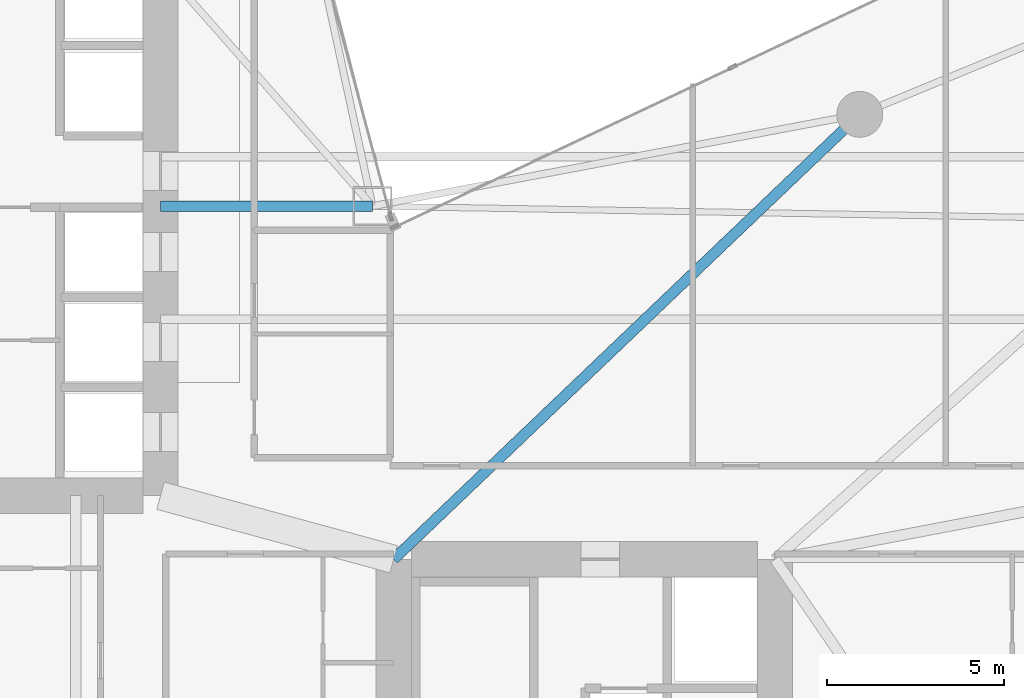
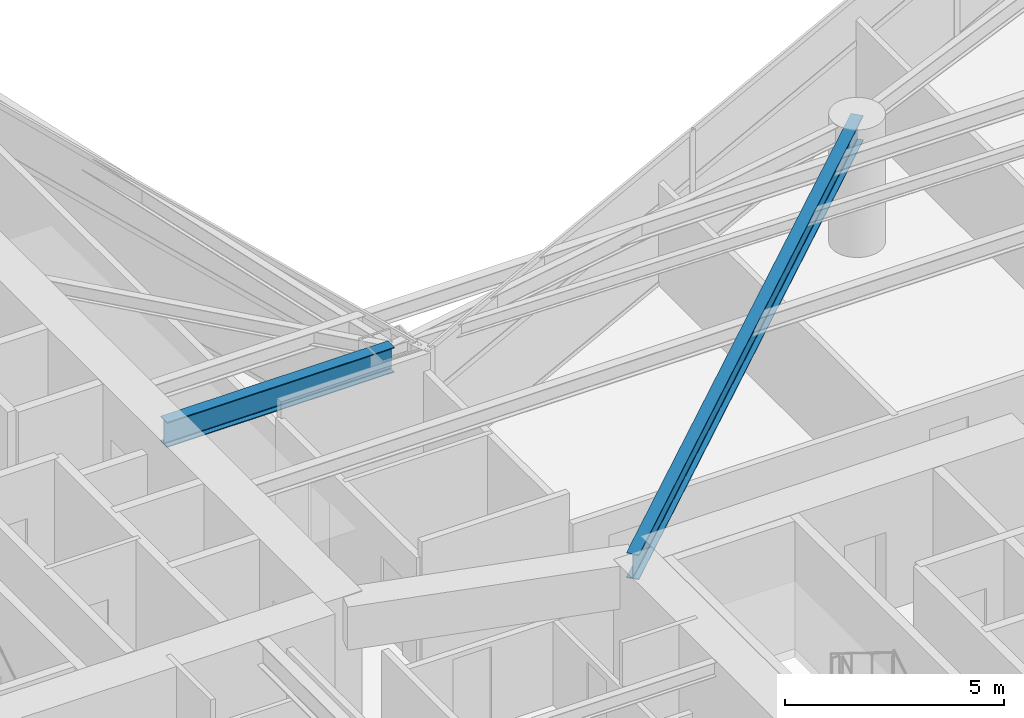
# One storey, part 9 of 29: 2 beams.
"""IFC4 building model written with IfcOpenShell, lengths in metres."""

from ifc_helpers import new_model, si_unit, direction, frame, origin, origin_2d, place, context, subcontext, project, spatial, i_section, extrude, material, material_profile, profile_set, type_object, element, save


model = new_model("IFC4")

# Units and contexts
model_context = context("Model", 3, precision=1e-05, world=origin(), true_north=direction((0.0, 1.0)))
body_context = subcontext(model_context, "Body", "Model", "MODEL_VIEW")
ifc_project = project(units=[si_unit("LENGTHUNIT", "METRE"), si_unit("AREAUNIT", "SQUARE_METRE"), si_unit("VOLUMEUNIT", "CUBIC_METRE"), si_unit("PLANEANGLEUNIT", "RADIAN"), si_unit("MASSUNIT", "GRAM", prefix="KILO")], contexts=[model_context])

# Site, building, storey
site_placement = place(None, origin())
site = spatial("IfcSite", under=ifc_project, at=site_placement, CompositionType="ELEMENT")
building_placement = place(site_placement, origin())
building = spatial("IfcBuilding", under=site, at=building_placement, Name="Calvorn Quay Hotel", CompositionType="ELEMENT")
storey_placement = place(building_placement, frame((0.0, 0.0, 38.39990234375)))
storey = spatial("IfcBuildingStorey", under=building, at=storey_placement, Name="L08", CompositionType="ELEMENT", Elevation=38.39990234375)

# Beams
ifc_material = material(Name="Steel Q390GJC", Category="steel")
ifc_material_profile = material_profile(ifc_material, i_section(OverallWidth=0.300048828125, OverallDepth=0.699951171875, WebThickness=0.012939453125, FlangeThickness=0.02392578125, FilletRadius=0.02392578125, at=origin_2d()), Name="HN700x300x13x24")
ifc_profile_set = profile_set([ifc_material_profile], Name="Steel Q390GJC")
beam_type = type_object("IfcBeamType", Name="BM-GIRD-MAIN", PredefinedType="BEAM", material=ifc_profile_set)
beam_1_placement = place(storey_placement, frame((21.0, 25.0, 3.190185546875), z_axis=(-1.0, 0.0, 0.0), x_axis=(0.0, -1.0, 0.0)))
element("IfcBeam", 1, at=beam_1_placement, inside=storey, type_object=beam_type, Name="Beam BG-L08-W7", PredefinedType="BEAM", context=body_context, shape_type="SweptSolid", body=[
    extrude(i_section(OverallWidth=0.300048828125, OverallDepth=0.699951171875, WebThickness=0.012939453125, FlangeThickness=0.02392578125, FilletRadius=0.02392578125, at=origin_2d()), origin(), (0.0, 0.0, 1.0), 6.0),
])
beam_2_placement = place(storey_placement, frame((21.60009765625, 15.0, 3.190185546875), z_axis=(0.723351595578, 0.690479883252, 0.0), x_axis=(-0.690479883252, 0.723351595578, 0.0)))
element("IfcBeam", 2, at=beam_2_placement, inside=storey, type_object=beam_type, Name="Beam BG-L08-E4", PredefinedType="BEAM", context=body_context, shape_type="SweptSolid", body=[
    extrude(i_section(OverallWidth=0.300048828125, OverallDepth=0.699951171875, WebThickness=0.012939453125, FlangeThickness=0.02392578125, FilletRadius=0.02392578125, at=origin_2d()), origin(), (0.0, 0.0, 1.0), 18.248291015625),
])

save(model, "model.ifc")
